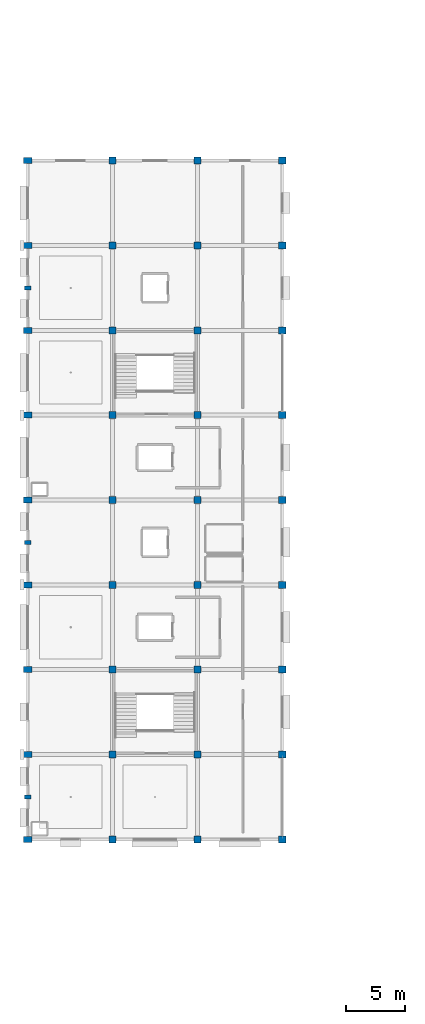
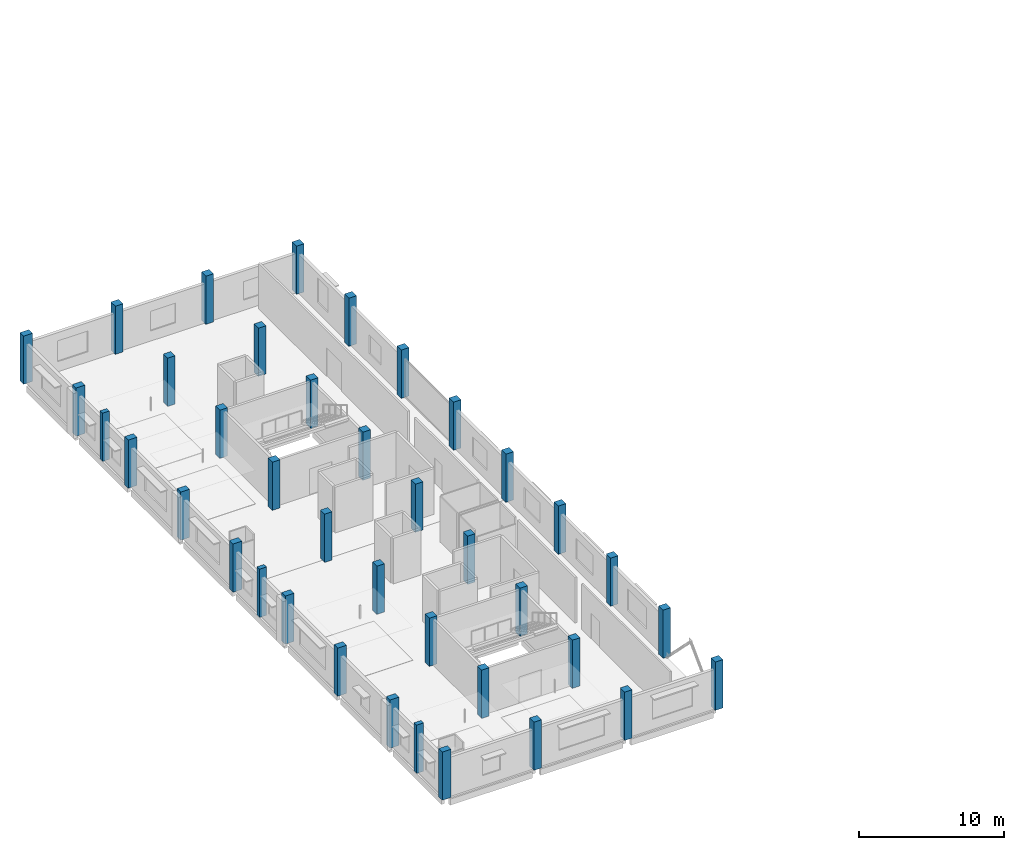
# One storey, part 1 of 26: 39 columns.
"""IFC4 building model written with IfcOpenShell, lengths in metres."""

import ifcopenshell
import ifcopenshell.guid

model = None  # the IFC model being written
_history = None  # IfcOwnerHistory: only IFC2X3 demands one
_inside = {}  # id of a spatial element -> (the spatial element, [elements in it])
_under = {}  # id of a project, library or spatial element -> (it, [spatial elements below it])
_declared = {}  # id of a project -> (the project, [libraries it declares])
_typed = {}  # id of a type object -> (the type object, [elements of that type])
_made_of = {}  # id of a material, layer set ... -> (it, [elements and type objects made of it])


def new_model(schema):
    """Start an empty IFC model of exactly this schema.

    Asked for "IFC4X3", IfcOpenShell would pick the latest addendum, in which some entities
    have other attributes; the version numbers below select the first issue.
    IFC2X3 requires an IfcOwnerHistory on every rooted entity: one is made here for all.
    """
    global model, _history
    if schema == "IFC4X3":
        model = ifcopenshell.file(schema_version=(4, 3, 0, 0))
    else:
        model = ifcopenshell.file(schema=schema)
    _inside.clear()
    _under.clear()
    _declared.clear()
    _typed.clear()
    _made_of.clear()
    _history = None
    if model.schema == "IFC2X3":
        org = make("IfcOrganization", Name="unknown")
        user = make(
            "IfcPersonAndOrganization",
            ThePerson=make("IfcPerson", FamilyName="unknown"),
            TheOrganization=org,
        )
        app = make(
            "IfcApplication",
            ApplicationDeveloper=org,
            Version="unknown",
            ApplicationFullName="unknown",
            ApplicationIdentifier="unknown",
        )
        _history = make(
            "IfcOwnerHistory",
            OwningUser=user,
            OwningApplication=app,
            ChangeAction="ADDED",
            CreationDate=0,
        )
    return model


def make(cls, **values):
    """One entity of the class cls with the attributes given. An attribute that is None is left unset."""
    return model.create_entity(
        cls, **{name: value for name, value in values.items() if value is not None}
    )


def rooted(cls, **values):
    """An entity with a GlobalId (a new one), such as an element, a storey or a relation."""
    return make(cls, GlobalId=ifcopenshell.guid.new(), OwnerHistory=_history, **values)


def si_unit(unit_type, name, prefix=None):
    """IfcSIUnit, for example si_unit("LENGTHUNIT", "METRE", prefix="MILLI")."""
    return make("IfcSIUnit", UnitType=unit_type, Prefix=prefix, Name=name)


def assignment(units):
    """IfcUnitAssignment: the units of a project."""
    return None if units is None else make("IfcUnitAssignment", Units=units)


def point(xyz):
    """IfcCartesianPoint."""
    return None if xyz is None else make("IfcCartesianPoint", Coordinates=xyz)


def direction(xyz):
    """IfcDirection."""
    return None if xyz is None else make("IfcDirection", DirectionRatios=xyz)


def frame(location, z_axis=None, x_axis=None):
    """IfcAxis2Placement3D, a coordinate frame: its origin and axes. An axis left out is left unset."""
    return make(
        "IfcAxis2Placement3D",
        Location=point(location),
        Axis=direction(z_axis),
        RefDirection=direction(x_axis),
    )


def frame_2d(location, x_axis=None):
    """IfcAxis2Placement2D, a coordinate frame in the plane: its origin and x axis."""
    return make(
        "IfcAxis2Placement2D", Location=point(location), RefDirection=direction(x_axis)
    )


def origin():
    """The frame at (0, 0, 0) with its axes left unset."""
    return frame((0.0, 0.0, 0.0))


def origin_2d():
    """The frame at (0, 0) in the plane with its x axis left unset."""
    return frame_2d((0.0, 0.0))


def place(relative_to, where):
    """IfcLocalPlacement: puts the frame where relative to a parent placement (None: the world)."""
    return make(
        "IfcLocalPlacement", PlacementRelTo=relative_to, RelativePlacement=where
    )


def context(
    kind, dimensions, precision=None, world=None, true_north=None, identifier=None
):
    """IfcGeometricRepresentationContext, for example the 3D "Model" context."""
    return make(
        "IfcGeometricRepresentationContext",
        ContextIdentifier=identifier,
        ContextType=kind,
        CoordinateSpaceDimension=dimensions,
        Precision=precision,
        WorldCoordinateSystem=world,
        TrueNorth=true_north,
    )


def subcontext(parent, identifier, kind, view, scale=None):
    """IfcGeometricRepresentationSubContext, for example "Body" below "Model"."""
    return make(
        "IfcGeometricRepresentationSubContext",
        ContextIdentifier=identifier,
        ContextType=kind,
        ParentContext=parent,
        TargetScale=scale,
        TargetView=view,
    )


def project(units=None, contexts=None):
    """IfcProject with its units and contexts."""
    return rooted(
        "IfcProject",
        Name="project",
        RepresentationContexts=contexts,
        UnitsInContext=assignment(units),
    )


def spatial(cls, under=None, at=None, **own):
    """A site, building, storey or space (cls), placed at a placement, below another one or the project."""
    s = rooted(cls, ObjectPlacement=at, **own)
    if under is not None:
        _under.setdefault(under.id(), (under, []))[1].append(s)
    return s


def profile(cls, at=None, kind="AREA", **sizes):
    """A parametric profile (cls). Its sizes go by their IFC names, for example OverallWidth=200.0."""
    return make(cls, ProfileType=kind, Position=at, **sizes)


def rectangle(**sizes):
    """IfcRectangleProfileDef."""
    return profile("IfcRectangleProfileDef", **sizes)


def extrude(swept, where, along, depth):
    """IfcExtrudedAreaSolid: the profile swept, set in the frame where, extruded along a direction by depth."""
    return make(
        "IfcExtrudedAreaSolid",
        SweptArea=swept,
        Position=where,
        ExtrudedDirection=direction(along),
        Depth=depth,
    )


def shape(context_of_items, identifier, shape_type, items):
    """IfcShapeRepresentation: the items that make up one representation, for example the "Body"."""
    return make(
        "IfcShapeRepresentation",
        ContextOfItems=context_of_items,
        RepresentationIdentifier=identifier,
        RepresentationType=shape_type,
        Items=items,
    )


def material(Name=None, Category=None):
    """IfcMaterial."""
    return make("IfcMaterial", Name=Name, Category=Category)


def material_profile(
    of_material, cross_section, Name=None, Category=None, Priority=None
):
    """IfcMaterialProfile: a cross section and its material."""
    return make(
        "IfcMaterialProfile",
        Name=Name,
        Material=of_material,
        Profile=cross_section,
        Priority=Priority,
        Category=Category,
    )


def profile_set(profiles, Name=None, composite=None):
    """IfcMaterialProfileSet."""
    return make(
        "IfcMaterialProfileSet",
        Name=Name,
        MaterialProfiles=profiles,
        CompositeProfile=composite,
    )


def made_of(thing, what):
    """Note that an element or type object is made of a material, layer set ...; save() writes the relation."""
    if what is not None:
        _made_of.setdefault(what.id(), (what, []))[1].append(thing)
    return thing


def type_object(cls, material=None, **own):
    """A type object (cls), such as IfcWallType, which elements share."""
    return made_of(rooted(cls, **own), material)


def element(
    cls,
    number,
    at=None,
    inside=None,
    cuts=None,
    type_object=None,
    material=None,
    context=None,
    identifier="Body",
    shape_type=None,
    held_by="IfcProductDefinitionShape",
    body=None,
    shapes=None,
    **own,
):
    """One element of the class cls, such as IfcWall. Its Tag is "e" and its number.

    at: its placement. inside: the storey or other place that contains it. cuts: it is an
    opening in that element (IfcRelVoidsElement). A single representation is given by context,
    identifier, shape_type and body (its items); several are given by shapes. held_by: the class
    of the entity that holds the representations. save() writes the other relations.
    """
    e = rooted(cls, Tag="e%d" % number, ObjectPlacement=at, **own)
    if body is not None:
        shapes = [shape(context, identifier, shape_type, body)]
    if shapes is not None:
        e.Representation = make(held_by, Representations=shapes)
    if inside is not None:
        _inside.setdefault(inside.id(), (inside, []))[1].append(e)
    if cuts is not None:
        rooted(
            "IfcRelVoidsElement", RelatingBuildingElement=cuts, RelatedOpeningElement=e
        )
    if type_object is not None:
        _typed.setdefault(type_object.id(), (type_object, []))[1].append(e)
    return made_of(e, material)


def aggregate(whole, parts):
    """IfcRelAggregates: a whole, such as a stair, and the parts it consists of."""
    return rooted("IfcRelAggregates", RelatingObject=whole, RelatedObjects=parts)


def save(model, path):
    """Write the relations noted so far, then the file.

    IfcRelAggregates (storeys below a building ...), IfcRelContainedInSpatialStructure (elements
    in a storey), IfcRelDefinesByType, IfcRelAssociatesMaterial and IfcRelDeclares: one each for
    every whole, place, type object, material and project.
    """
    for whole, parts in _under.values():
        aggregate(whole, parts)
    for where, things in _inside.values():
        rooted(
            "IfcRelContainedInSpatialStructure",
            RelatedElements=things,
            RelatingStructure=where,
        )
    for kind, things in _typed.values():
        rooted("IfcRelDefinesByType", RelatedObjects=things, RelatingType=kind)
    for what, things in _made_of.values():
        rooted("IfcRelAssociatesMaterial", RelatedObjects=things, RelatingMaterial=what)
    for by, libraries in _declared.values():
        rooted("IfcRelDeclares", RelatingContext=by, RelatedDefinitions=libraries)
    model.write(path)


model = new_model("IFC4")

# Units and contexts
model_context = context("Model", 3, precision=1e-05, world=origin(), true_north=direction((0.0, 1.0)))
body_context = subcontext(model_context, "Body", "Model", "MODEL_VIEW")
ifc_project = project(units=[si_unit("LENGTHUNIT", "METRE"), si_unit("AREAUNIT", "SQUARE_METRE"), si_unit("VOLUMEUNIT", "CUBIC_METRE"), si_unit("PLANEANGLEUNIT", "RADIAN"), si_unit("MASSUNIT", "GRAM", prefix="KILO")], contexts=[model_context])

# Site, building, storey
site_placement = place(None, origin())
site = spatial("IfcSite", under=ifc_project, at=site_placement, CompositionType="ELEMENT")
building_placement = place(site_placement, origin())
building = spatial("IfcBuilding", under=site, at=building_placement, Name="Kangsadwip Square Police Headquarters", CompositionType="ELEMENT")
storey_placement = place(building_placement, frame((0.0, 0.0, 25.64990234375)))
storey = spatial("IfcBuildingStorey", under=building, at=storey_placement, Name="L06", CompositionType="ELEMENT", Elevation=25.64990234375)

# Columns
ifc_material_1 = material(Name="Concrete M35 (35 MPa)", Category="concrete")
ifc_material_profile_1 = material_profile(ifc_material_1, rectangle(XDim=0.60009765625, YDim=0.60009765625, at=origin_2d()), Name="RC COL 600X600")
ifc_profile_set_1 = profile_set([ifc_material_profile_1], Name="Concrete M35 (35 MPa)")
column_type_1 = type_object("IfcColumnType", Name="RcCol600x600", PredefinedType="COLUMN", material=ifc_profile_set_1)
for number, where, z_axis, x_axis, name in (
    (1, (7.199951171875, 36.0, 0.0), (0.0, 0.0, 1.0), (1.0, 0.0, 0.0), "Column COL-L06-01-05"),
    (2, (7.199951171875, 43.199951171875, 0.0), (0.0, 0.0, 1.0), (1.0, 0.0, 0.0), "Column COL-L06-01-06"),
    (3, (7.199951171875, 50.39990234375, 0.0), (0.0, 0.0, 1.0), (1.0, 0.0, 0.0), "Column COL-L06-01-07"),
    (4, (7.199951171875, 57.60009765625, 0.0), (0.0, 0.0, 1.0), (1.0, 0.0, 0.0), "Column COL-L06-01-08"),
    (5, (7.199951171875, 64.800048828125, 0.0), (0.0, 0.0, 1.0), (1.0, 0.0, 0.0), "Column COL-L06-01-09"),
    (6, (7.199951171875, 72.0, 0.0), (0.0, 0.0, 1.0), (1.0, 0.0, 0.0), "Column COL-L06-01-10"),
    (7, (7.199951171875, 79.199951171875, 0.0), (0.0, 0.0, 1.0), (1.0, 0.0, 0.0), "Column COL-L06-01-11"),
    (8, (7.199951171875, 86.39990234375, 0.0), (0.0, 0.0, 1.0), (1.0, 0.0, 0.0), "Column COL-L06-01-12"),
    (9, (7.199951171875, 93.60009765625, 0.0), (0.0, 0.0, 1.0), (1.0, 0.0, 0.0), "Column COL-L06-01-13"),
    (10, (14.39990234375, 36.0, 0.0), (0.0, 0.0, 1.0), (1.0, 0.0, 0.0), "Column COL-L06-02-05"),
    (11, (14.39990234375, 43.199951171875, 0.0), (0.0, 0.0, 1.0), (1.0, 0.0, 0.0), "Column COL-L06-02-06"),
    (12, (14.39990234375, 50.39990234375, 0.0), (0.0, 0.0, 1.0), (1.0, 0.0, 0.0), "Column COL-L06-02-07"),
    (13, (14.39990234375, 57.60009765625, 0.0), (0.0, 0.0, 1.0), (1.0, 0.0, 0.0), "Column COL-L06-02-08"),
    (14, (14.39990234375, 64.800048828125, 0.0), (0.0, 0.0, 1.0), (1.0, 0.0, 0.0), "Column COL-L06-02-09"),
    (15, (14.39990234375, 72.0, 0.0), (0.0, 0.0, 1.0), (1.0, 0.0, 0.0), "Column COL-L06-02-10"),
    (16, (14.39990234375, 79.199951171875, 0.0), (0.0, 0.0, 1.0), (1.0, 0.0, 0.0), "Column COL-L06-02-11"),
    (17, (14.39990234375, 86.39990234375, 0.0), (0.0, 0.0, 1.0), (1.0, 0.0, 0.0), "Column COL-L06-02-12"),
    (18, (14.39990234375, 93.60009765625, 0.0), (0.0, 0.0, 1.0), (1.0, 0.0, 0.0), "Column COL-L06-02-13"),
    (19, (21.60009765625, 36.0, 0.0), (0.0, 0.0, 1.0), (1.0, 0.0, 0.0), "Column COL-L06-03-05"),
    (20, (21.60009765625, 43.199951171875, 0.0), (0.0, 0.0, 1.0), (1.0, 0.0, 0.0), "Column COL-L06-03-06"),
    (21, (21.60009765625, 50.39990234375, 0.0), (0.0, 0.0, 1.0), (1.0, 0.0, 0.0), "Column COL-L06-03-07"),
    (22, (21.60009765625, 57.60009765625, 0.0), (0.0, 0.0, 1.0), (1.0, 0.0, 0.0), "Column COL-L06-03-08"),
    (23, (21.60009765625, 64.800048828125, 0.0), (0.0, 0.0, 1.0), (1.0, 0.0, 0.0), "Column COL-L06-03-09"),
    (24, (21.60009765625, 72.0, 0.0), (0.0, 0.0, 1.0), (1.0, 0.0, 0.0), "Column COL-L06-03-10"),
    (25, (21.60009765625, 79.199951171875, 0.0), (0.0, 0.0, 1.0), (1.0, 0.0, 0.0), "Column COL-L06-03-11"),
    (26, (21.60009765625, 86.39990234375, 0.0), (0.0, 0.0, 1.0), (1.0, 0.0, 0.0), "Column COL-L06-03-12"),
    (27, (21.60009765625, 93.60009765625, 0.0), (0.0, 0.0, 1.0), (1.0, 0.0, 0.0), "Column COL-L06-03-13"),
):
    element("IfcColumn", number, at=place(storey_placement, frame(where, z_axis=z_axis, x_axis=x_axis)), inside=storey, type_object=column_type_1, Name=name, PredefinedType="COLUMN", context=body_context, shape_type="SweptSolid", body=[
        extrude(rectangle(XDim=0.60009765625, YDim=0.60009765625, at=origin_2d()), origin(), (0.0, 0.0, 1.0), 4.050048828125),
    ])
ifc_material_2 = material(Name="Concrete M35 (35 MPa)", Category="concrete")
ifc_material_profile_2 = material_profile(ifc_material_2, rectangle(XDim=0.5, YDim=0.699951171875, at=origin_2d()), Name="RC COL 700X500")
ifc_profile_set_2 = profile_set([ifc_material_profile_2], Name="Concrete M35 (35 MPa)")
column_type_2 = type_object("IfcColumnType", Name="RcCol700x500", PredefinedType="COLUMN", material=ifc_profile_set_2)
for number, where, z_axis, x_axis, name in (
    (28, (0.0, 36.0, 0.0), (0.0, 0.0, 1.0), (0.0, 1.0, 0.0), "Column COL-L06-00-05"),
    (29, (0.0, 43.199951171875, 0.0), (0.0, 0.0, 1.0), (0.0, 1.0, 0.0), "Column COL-L06-00-06"),
    (30, (0.0, 50.39990234375, 0.0), (0.0, 0.0, 1.0), (0.0, 1.0, 0.0), "Column COL-L06-00-07"),
    (31, (0.0, 57.60009765625, 0.0), (0.0, 0.0, 1.0), (0.0, 1.0, 0.0), "Column COL-L06-00-08"),
    (32, (0.0, 64.800048828125, 0.0), (0.0, 0.0, 1.0), (0.0, 1.0, 0.0), "Column COL-L06-00-09"),
    (33, (0.0, 72.0, 0.0), (0.0, 0.0, 1.0), (0.0, 1.0, 0.0), "Column COL-L06-00-10"),
    (34, (0.0, 79.199951171875, 0.0), (0.0, 0.0, 1.0), (0.0, 1.0, 0.0), "Column COL-L06-00-11"),
    (35, (0.0, 86.39990234375, 0.0), (0.0, 0.0, 1.0), (0.0, 1.0, 0.0), "Column COL-L06-00-12"),
    (36, (0.0, 93.60009765625, 0.0), (0.0, 0.0, 1.0), (0.0, 1.0, 0.0), "Column COL-L06-00-13"),
):
    element("IfcColumn", number, at=place(storey_placement, frame(where, z_axis=z_axis, x_axis=x_axis)), inside=storey, type_object=column_type_2, Name=name, PredefinedType="COLUMN", context=body_context, shape_type="SweptSolid", body=[
        extrude(rectangle(XDim=0.5, YDim=0.699951171875, at=origin_2d()), origin(), (0.0, 0.0, 1.0), 4.050048828125),
    ])
ifc_material_3 = material(Name="Concrete M35 (35 MPa)", Category="concrete")
ifc_material_profile_3 = material_profile(ifc_material_3, rectangle(XDim=0.35009765625, YDim=0.550048828125, at=origin_2d()), Name="RC PIL 550X350")
ifc_profile_set_3 = profile_set([ifc_material_profile_3], Name="Concrete M35 (35 MPa)")
column_type_3 = type_object("IfcColumnType", Name="RcPil550x350", PredefinedType="PILASTER", material=ifc_profile_set_3)
for number, where, z_axis, x_axis, name in (
    (37, (0.0, 39.60009765625, 0.0), (0.0, 0.0, 1.0), (0.0, 1.0, 0.0), "Colonnade Pilaster PIL-L06-008"),
    (38, (0.0, 61.199951171875, 0.0), (0.0, 0.0, 1.0), (0.0, 1.0, 0.0), "Colonnade Pilaster PIL-L06-017"),
    (39, (0.0, 82.800048828125, 0.0), (0.0, 0.0, 1.0), (0.0, 1.0, 0.0), "Colonnade Pilaster PIL-L06-026"),
):
    element("IfcColumn", number, at=place(storey_placement, frame(where, z_axis=z_axis, x_axis=x_axis)), inside=storey, type_object=column_type_3, Name=name, PredefinedType="PILASTER", context=body_context, shape_type="SweptSolid", body=[
        extrude(rectangle(XDim=0.35009765625, YDim=0.550048828125, at=origin_2d()), origin(), (0.0, 0.0, 1.0), 4.050048828125),
    ])

save(model, "model.ifc")
